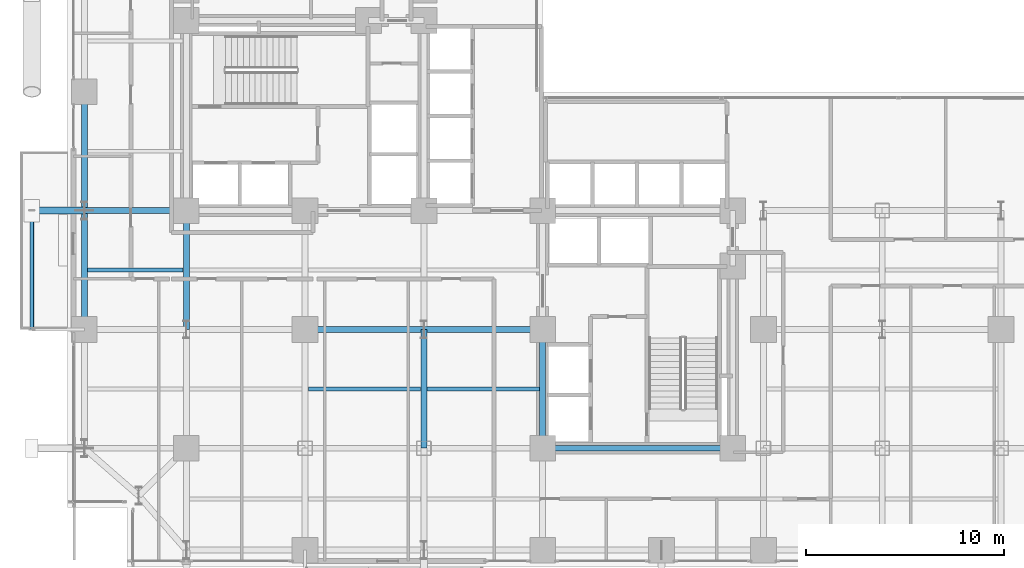
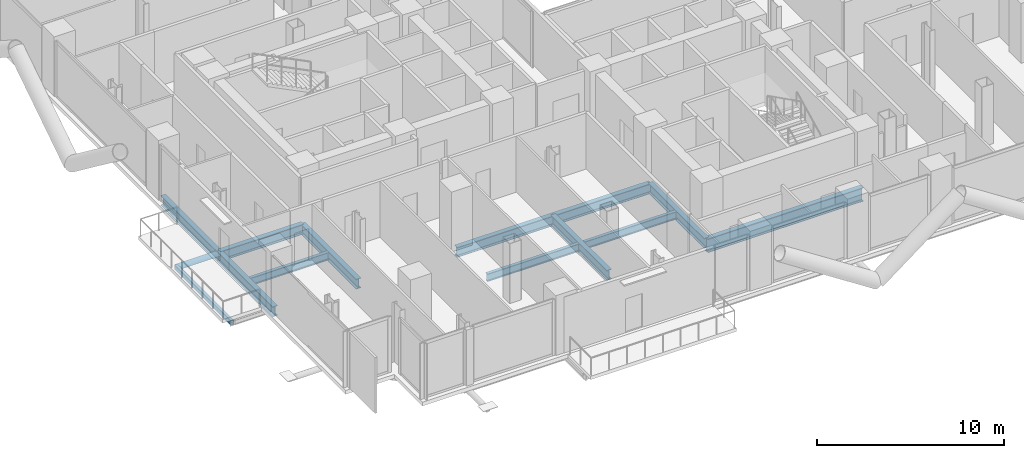
# One storey, part 4 of 25: 13 beams, 1 member.
"""IFC4 building model written with IfcOpenShell, lengths in metres."""

from ifc_helpers import new_model, si_unit, direction, frame, origin, origin_2d, place, context, subcontext, project, spatial, hollow_rectangle, hollow_circle, i_section, extrude, material, material_profile, profile_set, type_object, element, save


model = new_model("IFC4")

# Units and contexts
model_context = context("Model", 3, precision=1e-05, world=origin(), true_north=direction((0.0, 1.0)))
body_context = subcontext(model_context, "Body", "Model", "MODEL_VIEW")
ifc_project = project(units=[si_unit("LENGTHUNIT", "METRE"), si_unit("AREAUNIT", "SQUARE_METRE"), si_unit("VOLUMEUNIT", "CUBIC_METRE"), si_unit("PLANEANGLEUNIT", "RADIAN"), si_unit("MASSUNIT", "GRAM", prefix="KILO"), si_unit("THERMODYNAMICTEMPERATUREUNIT", "KELVIN"), si_unit("POWERUNIT", "WATT")], contexts=[model_context])

# Site, building, storey
site_placement = place(None, origin())
site = spatial("IfcSite", under=ifc_project, at=site_placement, CompositionType="ELEMENT")
building_placement = place(site_placement, origin())
building = spatial("IfcBuilding", under=site, at=building_placement, Name="Svarakhadi Broadcast Tower", CompositionType="ELEMENT")
storey_placement = place(building_placement, frame((0.0, 0.0, 48.0)))
storey = spatial("IfcBuildingStorey", under=building, at=storey_placement, Name="L10", CompositionType="ELEMENT", Elevation=48.0)

# Beams
ifc_material_1 = material(Name="Steel S355J2 (IS 2062 E350C)", Category="steel")
ifc_material_profile_1 = material_profile(ifc_material_1, i_section(OverallWidth=0.199951171875, OverallDepth=0.5, WebThickness=0.01025390625, FlangeThickness=0.01611328125, FilletRadius=0.02099609375, at=origin_2d()), Name="NPB 500x200x91")
ifc_profile_set_1 = profile_set([ifc_material_profile_1], Name="Steel S355J2 (IS 2062 E350C)")
beam_type_1 = type_object("IfcBeamType", Name="Beam_NPB500", PredefinedType="BEAM", material=ifc_profile_set_1)
beam_1_placement = place(storey_placement, frame((1.010009765625, 15.0, -0.5), z_axis=(1.0, 0.0, 0.0), x_axis=(0.0, 1.0, 0.0)))
element("IfcBeam", 1, at=beam_1_placement, inside=storey, type_object=beam_type_1, Name="L10 Secondary Composite Beam SB002", PredefinedType="BEAM", context=body_context, shape_type="SweptSolid", body=[
    extrude(i_section(OverallWidth=0.199951171875, OverallDepth=0.5, WebThickness=0.01025390625, FlangeThickness=0.01611328125, FilletRadius=0.02099609375, at=origin_2d()), origin(), (0.0, 0.0, 1.0), 4.830078125),
])
for number, where, z_axis, x_axis, name in (
    (2, (12.159912109375, 9.0, -0.5), (1.0, 0.0, 0.0), (0.0, 1.0, 0.0), "L10 Secondary Composite Beam SB014"),
    (3, (18.159912109375, 9.0, -0.5), (1.0, 0.0, 0.0), (0.0, 1.0, 0.0), "L10 Secondary Composite Beam SB020"),
):
    element("IfcBeam", number, at=place(storey_placement, frame(where, z_axis=z_axis, x_axis=x_axis)), inside=storey, type_object=beam_type_1, Name=name, PredefinedType="BEAM", context=body_context, shape_type="SweptSolid", body=[
        extrude(i_section(OverallWidth=0.199951171875, OverallDepth=0.5, WebThickness=0.01025390625, FlangeThickness=0.01611328125, FilletRadius=0.02099609375, at=origin_2d()), origin(), (0.0, 0.0, 1.0), 5.68017578125),
    ])

# Member
ifc_material_2 = material(Name="Steel S460ML (IS 2062 E450BR)", Category="steel")
ifc_material_profile_2 = material_profile(ifc_material_2, hollow_circle(Radius=0.177734375, WallThickness=0.02001953125, at=origin_2d()), Name="CHS 355.6x20")
ifc_profile_set_2 = profile_set([ifc_material_profile_2], Name="Steel S460ML (IS 2062 E450BR)")
member_type = type_object("IfcMemberType", Name="Exo_Radial_Strut_Z1", PredefinedType="STRUT", material=ifc_profile_set_2)
member_placement = place(storey_placement, frame((-1.800048828125, 18.0, -0.427734375), z_axis=(1.0, 0.0, 0.0), x_axis=(0.0, 1.0, 0.0)))
element("IfcMember", 4, at=member_placement, inside=storey, type_object=member_type, Name="L10 Exoskeleton Radial Tie Strut W06", PredefinedType="STRUT", context=body_context, shape_type="SweptSolid", body=[
    extrude(hollow_circle(Radius=0.177734375, WallThickness=0.02001953125, at=origin_2d()), origin(), (0.0, 0.0, 1.0), 2.650146484375),
])

# Beams
ifc_material_profile_3 = material_profile(ifc_material_1, i_section(OverallWidth=0.300048828125, OverallDepth=0.64990234375, WebThickness=0.01611328125, FlangeThickness=0.031005859375, FilletRadius=0.027099609375, at=origin_2d()), Name="WPB 650x300x225")
ifc_profile_set_3 = profile_set([ifc_material_profile_3], Name="Steel S355J2 (IS 2062 E350C)")
beam_type_2 = type_object("IfcBeamType", Name="Girder_WPB650", PredefinedType="USERDEFINED", material=ifc_profile_set_3)
for number, where, z_axis, x_axis, name in (
    (5, (12.0, 12.0, -0.574951171875), (1.0, 0.0, 0.0), (0.0, 1.0, 0.0), "L10 Primary E-W Girder G021"),
    (6, (18.0, 12.0, -0.574951171875), (1.0, 0.0, 0.0), (0.0, 1.0, 0.0), "L10 Primary E-W Girder G022"),
):
    element("IfcBeam", number, at=place(storey_placement, frame(where, z_axis=z_axis, x_axis=x_axis)), inside=storey, type_object=beam_type_2, Name=name, ObjectType="GIRDER", PredefinedType="USERDEFINED", context=body_context, shape_type="SweptSolid", body=[
        extrude(i_section(OverallWidth=0.300048828125, OverallDepth=0.64990234375, WebThickness=0.01611328125, FlangeThickness=0.031005859375, FilletRadius=0.027099609375, at=origin_2d()), origin(), (0.0, 0.0, 1.0), 6.0),
    ])
beam_2_placement = place(storey_placement, frame((0.85009765625, 18.0, -0.574951171875), z_axis=(1.0, 0.0, 0.0), x_axis=(0.0, 1.0, 0.0)))
element("IfcBeam", 7, at=beam_2_placement, inside=storey, type_object=beam_type_2, Name="L10 Primary E-W Girder G025", ObjectType="GIRDER", PredefinedType="USERDEFINED", context=body_context, shape_type="SweptSolid", body=[
    extrude(i_section(OverallWidth=0.300048828125, OverallDepth=0.64990234375, WebThickness=0.01611328125, FlangeThickness=0.031005859375, FilletRadius=0.027099609375, at=origin_2d()), origin(), (0.0, 0.0, 1.0), 5.14990234375),
])
for number, where, z_axis, x_axis, name in (
    (8, (0.85009765625, 12.0, -0.574951171875), (0.0, 1.0, 0.0), (-1.0, 0.0, 0.0), "L10 Primary N-S Girder G046"),
    (9, (0.85009765625, 18.0, -0.574951171875), (0.0, 1.0, 0.0), (-1.0, 0.0, 0.0), "L10 Primary N-S Girder G047"),
    (10, (6.0, 12.0, -0.574951171875), (0.0, 1.0, 0.0), (-1.0, 0.0, 0.0), "L10 Primary N-S Girder G053"),
    (11, (18.0, 6.0, -0.574951171875), (0.0, 1.0, 0.0), (-1.0, 0.0, 0.0), "L10 Primary N-S Girder G065"),
    (12, (24.0, 6.0, -0.574951171875), (0.0, 1.0, 0.0), (-1.0, 0.0, 0.0), "L10 Primary N-S Girder G072"),
):
    element("IfcBeam", number, at=place(storey_placement, frame(where, z_axis=z_axis, x_axis=x_axis)), inside=storey, type_object=beam_type_2, Name=name, ObjectType="GIRDER", PredefinedType="USERDEFINED", context=body_context, shape_type="SweptSolid", body=[
        extrude(i_section(OverallWidth=0.300048828125, OverallDepth=0.64990234375, WebThickness=0.01611328125, FlangeThickness=0.031005859375, FilletRadius=0.027099609375, at=origin_2d()), origin(), (0.0, 0.0, 1.0), 6.0),
    ])
ifc_material_profile_4 = material_profile(ifc_material_2, i_section(OverallWidth=0.300048828125, OverallDepth=0.89990234375, WebThickness=0.0185546875, FlangeThickness=0.034912109375, FilletRadius=0.030029296875, at=origin_2d()), Name="WPB 900x300x291")
ifc_profile_set_4 = profile_set([ifc_material_profile_4], Name="Steel S460ML (IS 2062 E450BR)")
beam_type_3 = type_object("IfcBeamType", Name="Girder_WPB900", PredefinedType="USERDEFINED", material=ifc_profile_set_4)
beam_3_placement = place(storey_placement, frame((24.0, 6.0, -0.699951171875), z_axis=(1.0, 0.0, 0.0), x_axis=(0.0, 1.0, 0.0)))
element("IfcBeam", 13, at=beam_3_placement, inside=storey, type_object=beam_type_3, Name="L10 Primary E-W Girder G015", ObjectType="GIRDER", PredefinedType="USERDEFINED", context=body_context, shape_type="SweptSolid", body=[
    extrude(i_section(OverallWidth=0.300048828125, OverallDepth=0.89990234375, WebThickness=0.0185546875, FlangeThickness=0.034912109375, FilletRadius=0.030029296875, at=origin_2d()), origin(), (0.0, 0.0, 1.0), 9.60009765625),
])
ifc_material_profile_5 = material_profile(ifc_material_2, hollow_rectangle(XDim=0.199951171875, YDim=0.300048828125, WallThickness=0.012451171875, InnerFilletRadius=0.012451171875, OuterFilletRadius=0.02490234375, at=origin_2d()), Name="RHS 300x200x12.5")
ifc_profile_set_5 = profile_set([ifc_material_profile_5], Name="Steel S460ML (IS 2062 E450BR)")
beam_type_4 = type_object("IfcBeamType", Name="Spandrel_RHS300", PredefinedType="SPANDREL", material=ifc_profile_set_5)
beam_4_placement = place(storey_placement, frame((-1.800048828125, 12.0, -0.39990234375), z_axis=(0.0, 1.0, 0.0), x_axis=(-1.0, 0.0, 0.0)))
element("IfcBeam", 14, at=beam_4_placement, inside=storey, type_object=beam_type_4, Name="L10 Balcony Outer Spandrel 2F", PredefinedType="SPANDREL", context=body_context, shape_type="SweptSolid", body=[
    extrude(hollow_rectangle(XDim=0.199951171875, YDim=0.300048828125, WallThickness=0.012451171875, InnerFilletRadius=0.012451171875, OuterFilletRadius=0.02490234375, at=origin_2d()), origin(), (0.0, 0.0, 1.0), 6.0),
])

save(model, "model.ifc")
